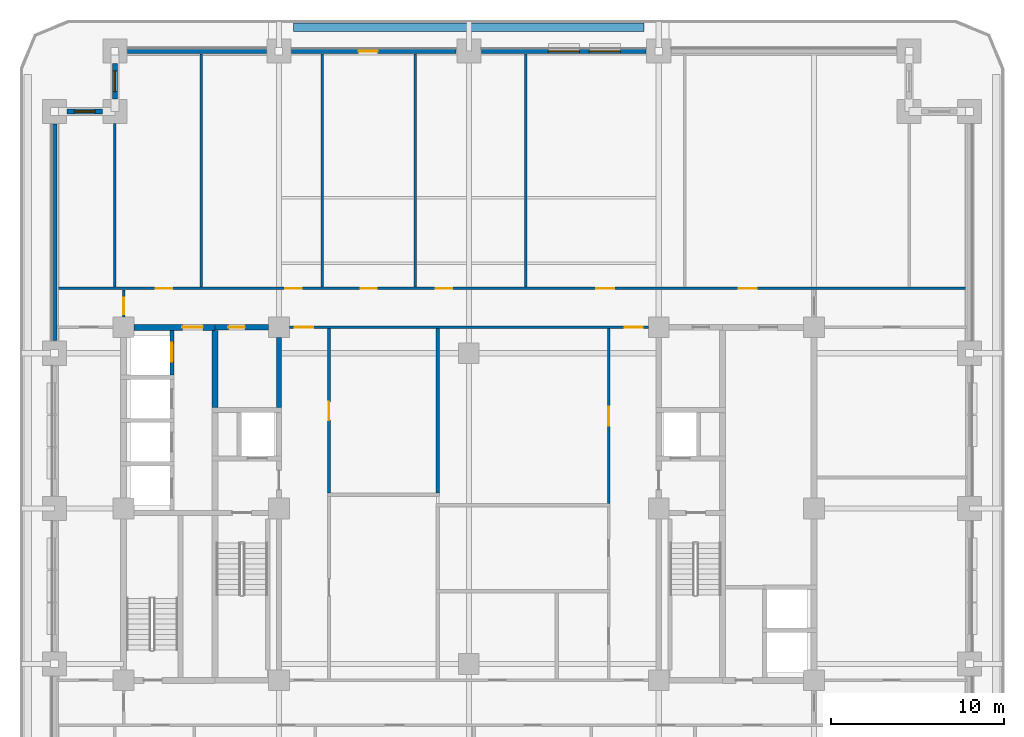
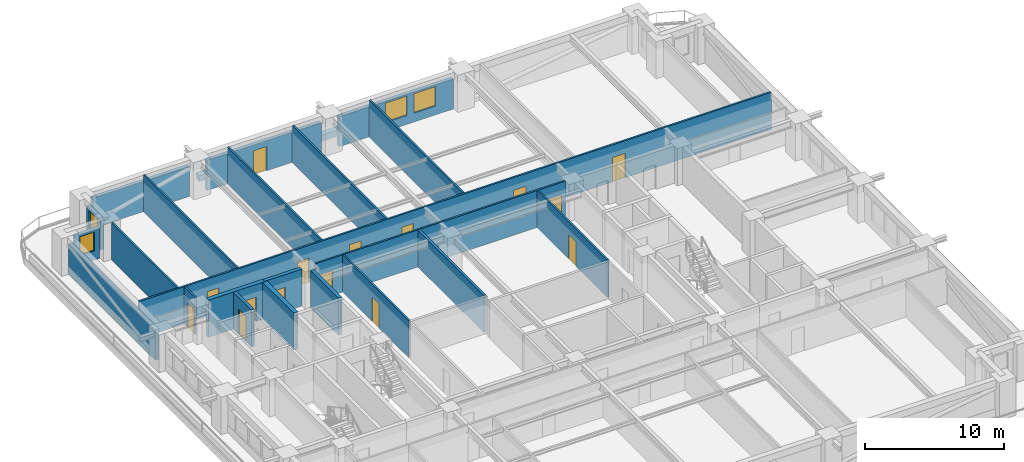
# One storey, part 5 of 14: 23 walls, 15 doors, 4 windows, 19 openings.
"""IFC4 building model written with IfcOpenShell, lengths in metres."""

from ifc_helpers import new_model, si_unit, direction, frame, frame_2d, origin, place, context, subcontext, project, spatial, rectangle, extrude, material, layer, layer_set, type_object, element, fill, save


model = new_model("IFC4")

# Units and contexts
model_context = context("Model", 3, precision=1e-05, world=origin(), true_north=direction((0.0, 1.0)))
body_context = subcontext(model_context, "Body", "Model", "MODEL_VIEW")
ifc_project = project(units=[si_unit("LENGTHUNIT", "METRE"), si_unit("AREAUNIT", "SQUARE_METRE"), si_unit("VOLUMEUNIT", "CUBIC_METRE"), si_unit("PLANEANGLEUNIT", "RADIAN"), si_unit("MASSUNIT", "GRAM", prefix="KILO")], contexts=[model_context])

# Site, building, storey
site_placement = place(None, origin())
site = spatial("IfcSite", under=ifc_project, at=site_placement, CompositionType="ELEMENT")
building_placement = place(site_placement, origin())
building = spatial("IfcBuilding", under=site, at=building_placement, Name="Zulmaris Gate Convention Tower", CompositionType="ELEMENT")
storey_placement = place(building_placement, frame((0.0, 0.0, 30.77001953125)))
storey = spatial("IfcBuildingStorey", under=building, at=storey_placement, Name="L06", CompositionType="ELEMENT", Elevation=30.77001953125)

# Wall, opening, door
ifc_material_1 = material(Name="Concrete C50/60", Category="concrete")
ifc_layer_1 = layer(ifc_material_1, 0.25, Name="Concrete C50/60")
ifc_layer_set_1 = layer_set([ifc_layer_1], Name="Concrete C50/60")
wall_type_1 = type_object("IfcWallType", Name="CORE-250", PredefinedType="SOLIDWALL", material=ifc_layer_set_1)
wall_1_placement = place(storey_placement, frame((-17.199951171875, 7.72705078125, 0.0), z_axis=(0.0, 0.0, 1.0), x_axis=(0.0, 1.0, 0.0)))
wall_1 = element("IfcWall", 1, at=wall_1_placement, inside=storey, type_object=wall_type_1, Name="WL-L06-041", PredefinedType="SOLIDWALL", context=body_context, shape_type="SweptSolid", body=[
    extrude(rectangle(XDim=2.595947265625, YDim=0.25, at=frame_2d((1.2978515625, 0.0))), origin(), (0.0, 0.0, 1.0), 3.27001953125),
])
opening_1_placement = place(wall_1_placement, frame((0.77294921875, 0.0, 0.0)))
opening_1 = element("IfcOpeningElement", 2, at=opening_1_placement, cuts=wall_1, Name="Opening D-06", PredefinedType="OPENING", context=body_context, shape_type="SweptSolid", body=[
    extrude(rectangle(XDim=1.10009765625, YDim=2.199951171875, at=frame_2d((0.550048828125, 1.10009765625))), frame((0.0, 0.135009765625, 0.0), z_axis=(0.0, -1.0, 0.0), x_axis=(1.0, 0.0, 0.0)), (0.0, 0.0, 1.0), 0.27001953125),
])
ifc_material_2 = material(Name="Brushed Stainless Steel", Category="steel")
door_type_1 = type_object("IfcDoorType", Name="LD-1100", OperationType="NOTDEFINED", PredefinedType="DOOR", material=ifc_material_2)
door_1_placement = place(opening_1_placement, origin())
door_1 = element("IfcDoor", 3, at=door_1_placement, inside=storey, type_object=door_type_1, Name="L06 Lift Landing Door LP-04 14", OperationType="SLIDING_TO_LEFT", OverallHeight=2.199951171875, OverallWidth=1.10009765625, PredefinedType="DOOR", context=body_context, shape_type="SweptSolid", body=[
    extrude(rectangle(XDim=1.10009765625, YDim=2.199951171875, at=frame_2d((0.550048828125, 1.10009765625))), frame((0.0, 0.02490234375, 0.0), z_axis=(0.0, -1.0, 0.0), x_axis=(1.0, 0.0, 0.0)), (0.0, 0.0, 1.0), 0.050048828125),
])
fill(opening_1, door_1)

ifc_layer_2 = layer(ifc_material_1, 0.300048828125, Name="Concrete C50/60")
ifc_layer_set_2 = layer_set([ifc_layer_2], Name="Concrete C50/60")
wall_type_2 = type_object("IfcWallType", Name="CORE-300", PredefinedType="SHEAR", material=ifc_layer_set_2)
wall_2_placement = place(storey_placement, frame((-14.699951171875, 10.5, 0.0), z_axis=(0.0, 0.0, 1.0), x_axis=(1.0, 0.0, 0.0)))
wall_2 = element("IfcWall", 4, at=wall_2_placement, inside=storey, type_object=wall_type_2, Name="WL-L06-017", PredefinedType="SHEAR", context=body_context, shape_type="SweptSolid", body=[
    extrude(rectangle(XDim=3.095947265625, YDim=0.300048828125, at=frame_2d((1.5478515625, 0.0))), origin(), (0.0, 0.0, 1.0), 3.27001953125),
])
opening_2_placement = place(wall_2_placement, frame((0.77490234375, 0.0, 0.0)))
opening_2 = element("IfcOpeningElement", 5, at=opening_2_placement, cuts=wall_2, Name="Opening D-11", PredefinedType="OPENING", context=body_context, shape_type="SweptSolid", body=[
    extrude(rectangle(XDim=0.949951171875, YDim=2.14990234375, at=frame_2d((0.47509765625, 1.074951171875))), frame((0.0, 0.16015625, 0.0), z_axis=(0.0, -1.0, 0.0), x_axis=(1.0, 0.0, 0.0)), (0.0, 0.0, 1.0), 0.320068359375),
])
ifc_material_3 = material(Name="Fire-Rated Timber", Category="wood")
door_type_2 = type_object("IfcDoorType", Name="DR-950-FD", OperationType="NOTDEFINED", PredefinedType="DOOR", material=ifc_material_3)
door_2_placement = place(opening_2_placement, origin())
door_2 = element("IfcDoor", 6, at=door_2_placement, inside=storey, type_object=door_type_2, Name="L06 Core Pantry Door 07", OperationType="SINGLE_SWING_RIGHT", OverallHeight=2.14990234375, OverallWidth=0.949951171875, PredefinedType="DOOR", context=body_context, shape_type="SweptSolid", body=[
    extrude(rectangle(XDim=0.949951171875, YDim=2.14990234375, at=frame_2d((0.47509765625, 1.074951171875))), frame((0.0, 0.02490234375, 0.0), z_axis=(0.0, -1.0, 0.0), x_axis=(1.0, 0.0, 0.0)), (0.0, 0.0, 1.0), 0.050048828125),
])
fill(opening_2, door_2)

# Wall
wall_3_placement = place(storey_placement, frame((-11.0, 5.85205078125, 0.0), z_axis=(0.0, 0.0, 1.0), x_axis=(0.0, 1.0, 0.0)))
element("IfcWall", 7, at=wall_3_placement, inside=storey, type_object=wall_type_2, Name="WL-L06-052", PredefinedType="SHEAR", context=body_context, shape_type="SweptSolid", body=[
    extrude(rectangle(XDim=4.0439453125, YDim=0.300048828125, at=frame_2d((2.02197265625, 0.0))), origin(), (0.0, 0.0, 1.0), 3.27001953125),
])

# Wall, opening, door
ifc_material_4 = material(Name="Concrete C55/67", Category="concrete")
ifc_layer_3 = layer(ifc_material_4, 0.35009765625, Name="Concrete C55/67")
ifc_layer_set_3 = layer_set([ifc_layer_3], Name="Concrete C55/67")
wall_type_3 = type_object("IfcWallType", Name="CORE-350", PredefinedType="SHEAR", material=ifc_layer_set_3)
wall_4_placement = place(storey_placement, frame((-19.39599609375, 10.5, 0.0), z_axis=(0.0, 0.0, 1.0), x_axis=(1.0, 0.0, 0.0)))
wall_4 = element("IfcWall", 8, at=wall_4_placement, inside=storey, type_object=wall_type_3, Name="WL-L06-016", PredefinedType="SHEAR", context=body_context, shape_type="SweptSolid", body=[
    extrude(rectangle(XDim=4.696044921875, YDim=0.35009765625, at=frame_2d((2.34814453125, 0.0))), origin(), (0.0, 0.0, 1.0), 3.27001953125),
])
opening_3_placement = place(wall_4_placement, frame((2.7958984375, 0.0, 0.0)))
opening_3 = element("IfcOpeningElement", 9, at=opening_3_placement, cuts=wall_4, Name="Opening D-13", PredefinedType="OPENING", context=body_context, shape_type="SweptSolid", body=[
    extrude(rectangle(XDim=1.199951171875, YDim=2.14990234375, at=frame_2d((0.60009765625, 1.074951171875))), frame((0.0, 0.18505859375, 0.0), z_axis=(0.0, -1.0, 0.0), x_axis=(1.0, 0.0, 0.0)), (0.0, 0.0, 1.0), 0.3701171875),
])
ifc_material_5 = material(Name="Fire-Rated Steel", Category="steel")
door_type_3 = type_object("IfcDoorType", Name="DR-1200-FD", OperationType="NOTDEFINED", PredefinedType="DOOR", material=ifc_material_5)
door_3_placement = place(opening_3_placement, origin())
door_3 = element("IfcDoor", 10, at=door_3_placement, inside=storey, type_object=door_type_3, Name="L06 Low-Rise Lift Lobby Door 10", OperationType="SINGLE_SWING_LEFT", OverallHeight=2.14990234375, OverallWidth=1.199951171875, PredefinedType="DOOR", context=body_context, shape_type="SweptSolid", body=[
    extrude(rectangle(XDim=1.199951171875, YDim=2.14990234375, at=frame_2d((0.60009765625, 1.074951171875))), frame((0.0, 0.02490234375, 0.0), z_axis=(0.0, -1.0, 0.0), x_axis=(1.0, 0.0, 0.0)), (0.0, 0.0, 1.0), 0.050048828125),
])
fill(opening_3, door_3)

# Wall
wall_5_placement = place(storey_placement, frame((-14.699951171875, 5.85205078125, 0.0), z_axis=(0.0, 0.0, 1.0), x_axis=(0.0, 1.0, 0.0)))
element("IfcWall", 11, at=wall_5_placement, inside=storey, type_object=wall_type_3, Name="WL-L06-046", PredefinedType="SHEAR", context=body_context, shape_type="SweptSolid", body=[
    extrude(rectangle(XDim=4.470947265625, YDim=0.35009765625, at=frame_2d((2.2353515625, 0.0))), origin(), (0.0, 0.0, 1.0), 3.27001953125),
])

# Wall, openings, doors
ifc_material_6 = material(Name="Gypsum Metal Stud Partition")
ifc_layer_4 = layer(ifc_material_6, 0.14990234375, Name="Gypsum Metal Stud Partition")
ifc_layer_set_4 = layer_set([ifc_layer_4], Name="Gypsum Metal Stud Partition")
wall_type_4 = type_object("IfcWallType", Name="PART-150", PredefinedType="PARTITIONING", material=ifc_layer_set_4)
wall_6_placement = place(storey_placement, frame((-10.39404296875, 10.5, 0.0), z_axis=(0.0, 0.0, 1.0), x_axis=(1.0, 0.0, 0.0)))
wall_6 = element("IfcWall", 12, at=wall_6_placement, inside=storey, type_object=wall_type_4, Name="WL-L06-030", PredefinedType="PARTITIONING", context=body_context, shape_type="SweptSolid", body=[
    extrude(rectangle(XDim=20.7880859375, YDim=0.14990234375, at=frame_2d((10.39404296875, 0.0))), origin(), (0.0, 0.0, 1.0), 3.27001953125),
])
opening_4_placement = place(wall_6_placement, frame((0.319091796875, 0.0, 0.0)))
opening_4 = element("IfcOpeningElement", 13, at=opening_4_placement, cuts=wall_6, Name="Opening D-09", PredefinedType="OPENING", context=body_context, shape_type="SweptSolid", body=[
    extrude(rectangle(XDim=1.050048828125, YDim=2.14990234375, at=frame_2d((0.52490234375, 1.074951171875))), frame((0.0, 0.0849609375, 0.0), z_axis=(0.0, -1.0, 0.0), x_axis=(1.0, 0.0, 0.0)), (0.0, 0.0, 1.0), 0.169921875),
])
opening_5_placement = place(wall_6_placement, frame((19.4189453125, 0.0, 0.0)))
opening_5 = element("IfcOpeningElement", 14, at=opening_5_placement, cuts=wall_6, Name="Opening D-09", PredefinedType="OPENING", context=body_context, shape_type="SweptSolid", body=[
    extrude(rectangle(XDim=1.050048828125, YDim=2.14990234375, at=frame_2d((0.52490234375, 1.074951171875))), frame((0.0, 0.0849609375, 0.0), z_axis=(0.0, -1.0, 0.0), x_axis=(1.0, 0.0, 0.0)), (0.0, 0.0, 1.0), 0.169921875),
])
door_type_4 = type_object("IfcDoorType", Name="DR-1050-FD", OperationType="NOTDEFINED", PredefinedType="DOOR", material=ifc_material_5)
door_4_placement = place(opening_4_placement, origin())
door_4 = element("IfcDoor", 15, at=door_4_placement, inside=storey, type_object=door_type_4, Name="L06 NW Spine Link Door 17", OperationType="SINGLE_SWING_RIGHT", OverallHeight=2.14990234375, OverallWidth=1.050048828125, PredefinedType="DOOR", context=body_context, shape_type="SweptSolid", body=[
    extrude(rectangle(XDim=1.050048828125, YDim=2.14990234375, at=frame_2d((0.52490234375, 1.074951171875))), frame((0.0, 0.02490234375, 0.0), z_axis=(0.0, -1.0, 0.0), x_axis=(1.0, 0.0, 0.0)), (0.0, 0.0, 1.0), 0.050048828125),
])
fill(opening_4, door_4)
door_5_placement = place(opening_5_placement, origin())
door_5 = element("IfcDoor", 16, at=door_5_placement, inside=storey, type_object=door_type_4, Name="L06 NE Spine Link Door 19", OperationType="SINGLE_SWING_RIGHT", OverallHeight=2.14990234375, OverallWidth=1.050048828125, PredefinedType="DOOR", context=body_context, shape_type="SweptSolid", body=[
    extrude(rectangle(XDim=1.050048828125, YDim=2.14990234375, at=frame_2d((0.52490234375, 1.074951171875))), frame((0.0, 0.02490234375, 0.0), z_axis=(0.0, -1.0, 0.0), x_axis=(1.0, 0.0, 0.0)), (0.0, 0.0, 1.0), 0.050048828125),
])
fill(opening_5, door_5)

wall_7_placement = place(storey_placement, frame((-23.8349609375, 12.75, 0.0), z_axis=(0.0, 0.0, 1.0), x_axis=(1.0, 0.0, 0.0)))
wall_7 = element("IfcWall", 17, at=wall_7_placement, inside=storey, type_object=wall_type_4, Name="WL-L06-032", PredefinedType="PARTITIONING", context=body_context, shape_type="SweptSolid", body=[
    extrude(rectangle(XDim=52.669921875, YDim=0.14990234375, at=frame_2d((26.3349609375, 0.0))), origin(), (0.0, 0.0, 1.0), 3.27001953125),
])
opening_6_placement = place(wall_7_placement, frame((5.7099609375, 0.0, 0.0)))
opening_6 = element("IfcOpeningElement", 18, at=opening_6_placement, cuts=wall_7, Name="Opening D-11", PredefinedType="OPENING", context=body_context, shape_type="SweptSolid", body=[
    extrude(rectangle(XDim=0.949951171875, YDim=2.14990234375, at=frame_2d((0.47509765625, 1.074951171875))), frame((0.0, 0.0849609375, 0.0), z_axis=(0.0, -1.0, 0.0), x_axis=(1.0, 0.0, 0.0)), (0.0, 0.0, 1.0), 0.169921875),
])
opening_7_placement = place(wall_7_placement, frame((13.2099609375, 0.0, 0.0)))
opening_7 = element("IfcOpeningElement", 19, at=opening_7_placement, cuts=wall_7, Name="Opening D-11", PredefinedType="OPENING", context=body_context, shape_type="SweptSolid", body=[
    extrude(rectangle(XDim=0.949951171875, YDim=2.14990234375, at=frame_2d((0.47509765625, 1.074951171875))), frame((0.0, 0.0849609375, 0.0), z_axis=(0.0, -1.0, 0.0), x_axis=(1.0, 0.0, 0.0)), (0.0, 0.0, 1.0), 0.169921875),
])
opening_8_placement = place(wall_7_placement, frame((17.56005859375, 0.0, 0.0)))
opening_8 = element("IfcOpeningElement", 20, at=opening_8_placement, cuts=wall_7, Name="Opening D-11", PredefinedType="OPENING", context=body_context, shape_type="SweptSolid", body=[
    extrude(rectangle(XDim=0.949951171875, YDim=2.14990234375, at=frame_2d((0.47509765625, 1.074951171875))), frame((0.0, 0.0849609375, 0.0), z_axis=(0.0, -1.0, 0.0), x_axis=(1.0, 0.0, 0.0)), (0.0, 0.0, 1.0), 0.169921875),
])
opening_9_placement = place(wall_7_placement, frame((21.909912109375, 0.0, 0.0)))
opening_9 = element("IfcOpeningElement", 21, at=opening_9_placement, cuts=wall_7, Name="Opening D-11", PredefinedType="OPENING", context=body_context, shape_type="SweptSolid", body=[
    extrude(rectangle(XDim=0.949951171875, YDim=2.14990234375, at=frame_2d((0.47509765625, 1.074951171875))), frame((0.0, 0.0849609375, 0.0), z_axis=(0.0, -1.0, 0.0), x_axis=(1.0, 0.0, 0.0)), (0.0, 0.0, 1.0), 0.169921875),
])
opening_10_placement = place(wall_7_placement, frame((31.2099609375, 0.0, 0.0)))
opening_10 = element("IfcOpeningElement", 22, at=opening_10_placement, cuts=wall_7, Name="Opening D-09", PredefinedType="OPENING", context=body_context, shape_type="SweptSolid", body=[
    extrude(rectangle(XDim=1.050048828125, YDim=2.14990234375, at=frame_2d((0.52490234375, 1.074951171875))), frame((0.0, 0.0849609375, 0.0), z_axis=(0.0, -1.0, 0.0), x_axis=(1.0, 0.0, 0.0)), (0.0, 0.0, 1.0), 0.169921875),
])
opening_11_placement = place(wall_7_placement, frame((39.4599609375, 0.0, 0.0)))
opening_11 = element("IfcOpeningElement", 23, at=opening_11_placement, cuts=wall_7, Name="Opening D-09", PredefinedType="OPENING", context=body_context, shape_type="SweptSolid", body=[
    extrude(rectangle(XDim=1.050048828125, YDim=2.14990234375, at=frame_2d((0.52490234375, 1.074951171875))), frame((0.0, 0.0849609375, 0.0), z_axis=(0.0, -1.0, 0.0), x_axis=(1.0, 0.0, 0.0)), (0.0, 0.0, 1.0), 0.169921875),
])
door_6_placement = place(opening_10_placement, origin())
door_6 = element("IfcDoor", 24, at=door_6_placement, inside=storey, type_object=door_type_4, Name="L06 Executive Boardroom Door 25", OperationType="SINGLE_SWING_RIGHT", OverallHeight=2.14990234375, OverallWidth=1.050048828125, PredefinedType="DOOR", context=body_context, shape_type="SweptSolid", body=[
    extrude(rectangle(XDim=1.050048828125, YDim=2.14990234375, at=frame_2d((0.52490234375, 1.074951171875))), frame((0.0, 0.02490234375, 0.0), z_axis=(0.0, -1.0, 0.0), x_axis=(1.0, 0.0, 0.0)), (0.0, 0.0, 1.0), 0.050048828125),
])
fill(opening_10, door_6)
door_7_placement = place(opening_11_placement, origin())
door_7 = element("IfcDoor", 25, at=door_7_placement, inside=storey, type_object=door_type_4, Name="L06 Corporate Strategy Office Door 26", OperationType="SINGLE_SWING_LEFT", OverallHeight=2.14990234375, OverallWidth=1.050048828125, PredefinedType="DOOR", context=body_context, shape_type="SweptSolid", body=[
    extrude(rectangle(XDim=1.050048828125, YDim=2.14990234375, at=frame_2d((0.52490234375, 1.074951171875))), frame((0.0, 0.02490234375, 0.0), z_axis=(0.0, -1.0, 0.0), x_axis=(1.0, 0.0, 0.0)), (0.0, 0.0, 1.0), 0.050048828125),
])
fill(opening_11, door_7)
door_8_placement = place(opening_6_placement, origin())
door_8 = element("IfcDoor", 26, at=door_8_placement, inside=storey, type_object=door_type_2, Name="L06 Executive Boardroom Door 21", OperationType="SINGLE_SWING_RIGHT", OverallHeight=2.14990234375, OverallWidth=0.949951171875, PredefinedType="DOOR", context=body_context, shape_type="SweptSolid", body=[
    extrude(rectangle(XDim=0.949951171875, YDim=2.14990234375, at=frame_2d((0.47509765625, 1.074951171875))), frame((0.0, 0.02490234375, 0.0), z_axis=(0.0, -1.0, 0.0), x_axis=(1.0, 0.0, 0.0)), (0.0, 0.0, 1.0), 0.050048828125),
])
fill(opening_6, door_8)
door_9_placement = place(opening_7_placement, origin())
door_9 = element("IfcDoor", 27, at=door_9_placement, inside=storey, type_object=door_type_2, Name="L06 Corporate Strategy Office Door 22", OperationType="SINGLE_SWING_LEFT", OverallHeight=2.14990234375, OverallWidth=0.949951171875, PredefinedType="DOOR", context=body_context, shape_type="SweptSolid", body=[
    extrude(rectangle(XDim=0.949951171875, YDim=2.14990234375, at=frame_2d((0.47509765625, 1.074951171875))), frame((0.0, 0.02490234375, 0.0), z_axis=(0.0, -1.0, 0.0), x_axis=(1.0, 0.0, 0.0)), (0.0, 0.0, 1.0), 0.050048828125),
])
fill(opening_7, door_9)
door_10_placement = place(opening_8_placement, origin())
door_10 = element("IfcDoor", 28, at=door_10_placement, inside=storey, type_object=door_type_2, Name="L06 Project Advisory Studio Door 23", OperationType="SINGLE_SWING_RIGHT", OverallHeight=2.14990234375, OverallWidth=0.949951171875, PredefinedType="DOOR", context=body_context, shape_type="SweptSolid", body=[
    extrude(rectangle(XDim=0.949951171875, YDim=2.14990234375, at=frame_2d((0.47509765625, 1.074951171875))), frame((0.0, 0.02490234375, 0.0), z_axis=(0.0, -1.0, 0.0), x_axis=(1.0, 0.0, 0.0)), (0.0, 0.0, 1.0), 0.050048828125),
])
fill(opening_8, door_10)
door_11_placement = place(opening_9_placement, origin())
door_11 = element("IfcDoor", 29, at=door_11_placement, inside=storey, type_object=door_type_2, Name="L06 Policy Research Study Door 24", OperationType="SINGLE_SWING_LEFT", OverallHeight=2.14990234375, OverallWidth=0.949951171875, PredefinedType="DOOR", context=body_context, shape_type="SweptSolid", body=[
    extrude(rectangle(XDim=0.949951171875, YDim=2.14990234375, at=frame_2d((0.47509765625, 1.074951171875))), frame((0.0, 0.02490234375, 0.0), z_axis=(0.0, -1.0, 0.0), x_axis=(1.0, 0.0, 0.0)), (0.0, 0.0, 1.0), 0.050048828125),
])
fill(opening_9, door_11)

# Wall
wall_8_placement = place(storey_placement, frame((-20.5, 12.827880859375, 0.0), z_axis=(0.0, 0.0, 1.0), x_axis=(0.0, 1.0, 0.0)))
element("IfcWall", 30, at=wall_8_placement, inside=storey, type_object=wall_type_4, Name="WL-L06-069", PredefinedType="PARTITIONING", context=body_context, shape_type="SweptSolid", body=[
    extrude(rectangle(XDim=9.466064453125, YDim=0.14990234375, at=frame_2d((4.73291015625, 0.0))), origin(), (0.0, 0.0, 1.0), 3.27001953125),
])

# Wall, opening, door
wall_9_placement = place(storey_placement, frame((-20.0, 11.10595703125, 0.0), z_axis=(0.0, 0.0, 1.0), x_axis=(0.0, 1.0, 0.0)))
wall_9 = element("IfcWall", 31, at=wall_9_placement, inside=storey, type_object=wall_type_4, Name="WL-L06-071", PredefinedType="PARTITIONING", context=body_context, shape_type="SweptSolid", body=[
    extrude(rectangle(XDim=1.566162109375, YDim=0.14990234375, at=frame_2d((0.783203125, 0.0))), origin(), (0.0, 0.0, 1.0), 3.27001953125),
])
opening_12_placement = place(wall_9_placement, frame((0.14990234375, 0.0, 0.0)))
opening_12 = element("IfcOpeningElement", 32, at=opening_12_placement, cuts=wall_9, Name="Opening D-11", PredefinedType="OPENING", context=body_context, shape_type="SweptSolid", body=[
    extrude(rectangle(XDim=0.949951171875, YDim=2.14990234375, at=frame_2d((0.47509765625, 1.074951171875))), frame((0.0, 0.0849609375, 0.0), z_axis=(0.0, -1.0, 0.0), x_axis=(1.0, 0.0, 0.0)), (0.0, 0.0, 1.0), 0.169921875),
])
door_12_placement = place(opening_12_placement, origin())
door_12 = element("IfcDoor", 33, at=door_12_placement, inside=storey, type_object=door_type_2, Name="L06 NW Spur Door 39", OperationType="SINGLE_SWING_RIGHT", OverallHeight=2.14990234375, OverallWidth=0.949951171875, PredefinedType="DOOR", context=body_context, shape_type="SweptSolid", body=[
    extrude(rectangle(XDim=0.949951171875, YDim=2.14990234375, at=frame_2d((0.47509765625, 1.074951171875))), frame((0.0, 0.02490234375, 0.0), z_axis=(0.0, -1.0, 0.0), x_axis=(1.0, 0.0, 0.0)), (0.0, 0.0, 1.0), 0.050048828125),
])
fill(opening_12, door_12)

# Walls
for number, where, z_axis, x_axis, name in (
    (34, (-15.5, 12.827880859375, 0.0), (0.0, 0.0, 1.0), (0.0, 1.0, 0.0), "WL-L06-073"),
    (35, (-8.5, 12.827880859375, 0.0), (0.0, 0.0, 1.0), (0.0, 1.0, 0.0), "WL-L06-075"),
):
    element("IfcWall", number, at=place(storey_placement, frame(where, z_axis=z_axis, x_axis=x_axis)), inside=storey, type_object=wall_type_4, Name=name, PredefinedType="PARTITIONING", context=body_context, shape_type="SweptSolid", body=[
        extrude(rectangle(XDim=13.507080078125, YDim=0.14990234375, at=frame_2d((6.75341796875, 0.0))), origin(), (0.0, 0.0, 1.0), 3.27001953125),
    ])

# Wall, opening, door
wall_10_placement = place(storey_placement, frame((-8.10009765625, 0.903076171875, 0.0), z_axis=(0.0, 0.0, 1.0), x_axis=(0.0, 1.0, 0.0)))
wall_10 = element("IfcWall", 36, at=wall_10_placement, inside=storey, type_object=wall_type_4, Name="WL-L06-077", PredefinedType="PARTITIONING", context=body_context, shape_type="SweptSolid", body=[
    extrude(rectangle(XDim=9.51904296875, YDim=0.14990234375, at=frame_2d((4.759521484375, 0.0))), origin(), (0.0, 0.0, 1.0), 3.27001953125),
])
opening_13_placement = place(wall_10_placement, frame((4.221923828125, 0.0, 0.0)))
opening_13 = element("IfcOpeningElement", 37, at=opening_13_placement, cuts=wall_10, Name="Opening D-09", PredefinedType="OPENING", context=body_context, shape_type="SweptSolid", body=[
    extrude(rectangle(XDim=1.050048828125, YDim=2.14990234375, at=frame_2d((0.52490234375, 1.074951171875))), frame((0.0, 0.0849609375, 0.0), z_axis=(0.0, -1.0, 0.0), x_axis=(1.0, 0.0, 0.0)), (0.0, 0.0, 1.0), 0.169921875),
])
door_13_placement = place(opening_13_placement, origin())
door_13 = element("IfcDoor", 38, at=door_13_placement, inside=storey, type_object=door_type_4, Name="L06 Boardroom Door 33", OperationType="SINGLE_SWING_RIGHT", OverallHeight=2.14990234375, OverallWidth=1.050048828125, PredefinedType="DOOR", context=body_context, shape_type="SweptSolid", body=[
    extrude(rectangle(XDim=1.050048828125, YDim=2.14990234375, at=frame_2d((0.52490234375, 1.074951171875))), frame((0.0, 0.02490234375, 0.0), z_axis=(0.0, -1.0, 0.0), x_axis=(1.0, 0.0, 0.0)), (0.0, 0.0, 1.0), 0.050048828125),
])
fill(opening_13, door_13)

# Walls
for number, where, z_axis, x_axis, name in (
    (39, (-3.10009765625, 12.827880859375, 0.0), (0.0, 0.0, 1.0), (0.0, 1.0, 0.0), "WL-L06-078"),
    (40, (3.300048828125, 12.827880859375, 0.0), (0.0, 0.0, 1.0), (0.0, 1.0, 0.0), "WL-L06-084"),
):
    element("IfcWall", number, at=place(storey_placement, frame(where, z_axis=z_axis, x_axis=x_axis)), inside=storey, type_object=wall_type_4, Name=name, PredefinedType="PARTITIONING", context=body_context, shape_type="SweptSolid", body=[
        extrude(rectangle(XDim=13.507080078125, YDim=0.14990234375, at=frame_2d((6.75341796875, 0.0))), origin(), (0.0, 0.0, 1.0), 3.27001953125),
    ])

# Wall, opening, door
wall_11_placement = place(storey_placement, frame((8.10009765625, 0.302978515625, 0.0), z_axis=(0.0, 0.0, 1.0), x_axis=(0.0, 1.0, 0.0)))
wall_11 = element("IfcWall", 41, at=wall_11_placement, inside=storey, type_object=wall_type_4, Name="WL-L06-089", PredefinedType="PARTITIONING", context=body_context, shape_type="SweptSolid", body=[
    extrude(rectangle(XDim=10.119140625, YDim=0.14990234375, at=frame_2d((5.0595703125, 0.0))), origin(), (0.0, 0.0, 1.0), 3.27001953125),
])
opening_14_placement = place(wall_11_placement, frame((4.4970703125, 0.0, 0.0)))
opening_14 = element("IfcOpeningElement", 42, at=opening_14_placement, cuts=wall_11, Name="Opening D-08", PredefinedType="OPENING", context=body_context, shape_type="SweptSolid", body=[
    extrude(rectangle(XDim=1.10009765625, YDim=2.14990234375, at=frame_2d((0.550048828125, 1.074951171875))), frame((0.0, 0.0849609375, 0.0), z_axis=(0.0, -1.0, 0.0), x_axis=(1.0, 0.0, 0.0)), (0.0, 0.0, 1.0), 0.169921875),
])
door_type_5 = type_object("IfcDoorType", Name="DR-1100-FD", OperationType="NOTDEFINED", PredefinedType="DOOR", material=ifc_material_5)
door_14_placement = place(opening_14_placement, origin())
door_14 = element("IfcDoor", 43, at=door_14_placement, inside=storey, type_object=door_type_5, Name="L06 Seminar Forum Door 35", OperationType="SINGLE_SWING_RIGHT", OverallHeight=2.14990234375, OverallWidth=1.10009765625, PredefinedType="DOOR", context=body_context, shape_type="SweptSolid", body=[
    extrude(rectangle(XDim=1.10009765625, YDim=2.14990234375, at=frame_2d((0.550048828125, 1.074951171875))), frame((0.0, 0.02490234375, 0.0), z_axis=(0.0, -1.0, 0.0), x_axis=(1.0, 0.0, 0.0)), (0.0, 0.0, 1.0), 0.050048828125),
])
fill(opening_14, door_14)

# Walls
ifc_material_7 = material(Name="Autoclaved Aerated Concrete Block and Plasterboard", Category="concrete")
ifc_layer_5 = layer(ifc_material_7, 0.199951171875, Name="Autoclaved Aerated Concrete Block and Plasterboard")
ifc_layer_set_5 = layer_set([ifc_layer_5], Name="Autoclaved Aerated Concrete Block and Plasterboard")
wall_type_5 = type_object("IfcWallType", Name="PART-200", PredefinedType="PARTITIONING", material=ifc_layer_set_5)
wall_12_placement = place(storey_placement, frame((-1.800048828125, 0.903076171875, 0.0), z_axis=(0.0, 0.0, 1.0), x_axis=(0.0, 1.0, 0.0)))
element("IfcWall", 44, at=wall_12_placement, inside=storey, type_object=wall_type_5, Name="WL-L06-082", PredefinedType="PARTITIONING", context=body_context, shape_type="SweptSolid", body=[
    extrude(rectangle(XDim=9.51904296875, YDim=0.199951171875, at=frame_2d((4.759521484375, 0.0))), origin(), (0.0, 0.0, 1.0), 3.27001953125),
])
ifc_material_8 = material(Name="Botanical Green Glazed Precast Concrete C40/50", Category="concrete")
ifc_layer_6 = layer(ifc_material_8, 0.419921875, Name="Botanical Green Glazed Precast Concrete C40/50")
ifc_layer_set_6 = layer_set([ifc_layer_6], Name="Botanical Green Glazed Precast Concrete C40/50")
wall_type_6 = type_object("IfcWallType", Name="PLANTER-CURB-200", PredefinedType="PARAPET", material=ifc_layer_set_6)
wall_13_placement = place(storey_placement, frame((-10.14990234375, 27.8798828125, -0.0400390625), z_axis=(0.0, 0.0, 1.0), x_axis=(1.0, 0.0, 0.0)))
element("IfcWall", 45, at=wall_13_placement, inside=storey, type_object=wall_type_6, Name="L06 Full-Length Balcony Tree Planter Trough", PredefinedType="PARAPET", context=body_context, shape_type="SweptSolid", body=[
    extrude(rectangle(XDim=20.2998046875, YDim=0.47998046875, at=frame_2d((10.14990234375, 0.0))), origin(), (0.0, 0.0, 1.0), 0.52001953125),
])

# Wall, opening, window
ifc_material_9 = material(Name="Precast concrete C40/50", Category="concrete")
ifc_layer_7 = layer(ifc_material_9, 0.300048828125, Name="Precast concrete C40/50")
ifc_layer_set_7 = layer_set([ifc_layer_7], Name="Precast concrete C40/50")
wall_type_7 = type_object("IfcWallType", Name="PRECAST-PIER-300", PredefinedType="STANDARD", material=ifc_layer_set_7)
wall_14_placement = place(storey_placement, frame((-20.5, 25.77001953125, 0.0), z_axis=(0.0, 0.0, 1.0), x_axis=(0.0, -1.0, 0.0)))
wall_14 = element("IfcWall", 46, at=wall_14_placement, inside=storey, type_object=wall_type_7, Name="EW-L06-NOTCH-NW1_0", PredefinedType="STANDARD", context=body_context, shape_type="SweptSolid", body=[
    extrude(rectangle(XDim=2.0400390625, YDim=0.300048828125, at=frame_2d((1.02001953125, 0.0))), origin(), (0.0, 0.0, 1.0), 2.662109375),
])
opening_15_placement = place(wall_14_placement, frame((0.419921875, 0.0, 0.820068359375)))
opening_15 = element("IfcOpeningElement", 47, at=opening_15_placement, cuts=wall_14, Name="Opening W-04", PredefinedType="OPENING", context=body_context, shape_type="SweptSolid", body=[
    extrude(rectangle(XDim=1.199951171875, YDim=1.64990234375, at=frame_2d((0.60009765625, 0.824951171875))), frame((0.0, 0.16015625, 0.0), z_axis=(0.0, -1.0, 0.0), x_axis=(1.0, 0.0, 0.0)), (0.0, 0.0, 1.0), 0.320068359375),
])
ifc_material_10 = material(Name="Low-E Laminated Double Glazing in Aluminium Frame", Category="aluminium")
window_type_1 = type_object("IfcWindowType", Name="WIN-1200x2100", PartitioningType="SINGLE_PANEL", PredefinedType="WINDOW", material=ifc_material_10)
window_1_placement = place(opening_15_placement, origin())
window_1 = element("IfcWindow", 48, at=window_1_placement, inside=storey, type_object=window_type_1, Name="WN-EW-L06-NOTCH-NW1_0", OverallHeight=1.64990234375, OverallWidth=1.199951171875, PartitioningType="SINGLE_PANEL", PredefinedType="WINDOW", context=body_context, shape_type="SweptSolid", body=[
    extrude(rectangle(XDim=1.199951171875, YDim=1.64990234375, at=frame_2d((0.60009765625, 0.824951171875))), frame((0.0, 0.030029296875, 0.0), z_axis=(0.0, -1.0, 0.0), x_axis=(1.0, 0.0, 0.0)), (0.0, 0.0, 1.0), 0.06005859375),
])
fill(opening_15, window_1)

wall_15_placement = place(storey_placement, frame((-21.22998046875, 23.0, 0.0), z_axis=(0.0, 0.0, 1.0), x_axis=(-1.0, 0.0, 0.0)))
wall_15 = element("IfcWall", 49, at=wall_15_placement, inside=storey, type_object=wall_type_7, Name="EW-L06-NOTCH-NW2_0", PredefinedType="STANDARD", context=body_context, shape_type="SweptSolid", body=[
    extrude(rectangle(XDim=2.0400390625, YDim=0.300048828125, at=frame_2d((1.02001953125, 0.0))), origin(), (0.0, 0.0, 1.0), 2.662109375),
])
opening_16_placement = place(wall_15_placement, frame((0.419921875, 0.0, 0.820068359375)))
opening_16 = element("IfcOpeningElement", 50, at=opening_16_placement, cuts=wall_15, Name="Opening W-04", PredefinedType="OPENING", context=body_context, shape_type="SweptSolid", body=[
    extrude(rectangle(XDim=1.199951171875, YDim=1.64990234375, at=frame_2d((0.60009765625, 0.824951171875))), frame((0.0, 0.16015625, 0.0), z_axis=(0.0, -1.0, 0.0), x_axis=(1.0, 0.0, 0.0)), (0.0, 0.0, 1.0), 0.320068359375),
])
window_2_placement = place(opening_16_placement, origin())
window_2 = element("IfcWindow", 51, at=window_2_placement, inside=storey, type_object=window_type_1, Name="WN-EW-L06-NOTCH-NW2_0", OverallHeight=1.64990234375, OverallWidth=1.199951171875, PartitioningType="SINGLE_PANEL", PredefinedType="WINDOW", context=body_context, shape_type="SweptSolid", body=[
    extrude(rectangle(XDim=1.199951171875, YDim=1.64990234375, at=frame_2d((0.60009765625, 0.824951171875))), frame((0.0, 0.030029296875, 0.0), z_axis=(0.0, -1.0, 0.0), x_axis=(1.0, 0.0, 0.0)), (0.0, 0.0, 1.0), 0.06005859375),
])
fill(opening_16, window_2)

# Wall
wall_16_placement = place(storey_placement, frame((-11.72998046875, 26.5, 0.0), z_axis=(0.0, 0.0, 1.0), x_axis=(-1.0, 0.0, 0.0)))
element("IfcWall", 52, at=wall_16_placement, inside=storey, type_object=wall_type_7, Name="EW-L06-N-0_0", PredefinedType="STANDARD", context=body_context, shape_type="SweptSolid", body=[
    extrude(rectangle(XDim=8.0400390625, YDim=0.300048828125, at=frame_2d((4.02001953125, 0.0))), origin(), (0.0, 0.0, 1.0), 2.662109375),
])

# Wall, opening, door
wall_17_placement = place(storey_placement, frame((-0.72998046875, 26.5, 0.0), z_axis=(0.0, 0.0, 1.0), x_axis=(-1.0, 0.0, 0.0)))
wall_17 = element("IfcWall", 53, at=wall_17_placement, inside=storey, type_object=wall_type_7, Name="EW-L06-N-1_0", PredefinedType="STANDARD", context=body_context, shape_type="SweptSolid", body=[
    extrude(rectangle(XDim=9.5400390625, YDim=0.300048828125, at=frame_2d((4.77001953125, 0.0))), origin(), (0.0, 0.0, 1.0), 2.662109375),
])
opening_17_placement = place(wall_17_placement, frame((4.554931640625, 0.0, 0.0)))
opening_17 = element("IfcOpeningElement", 54, at=opening_17_placement, cuts=wall_17, Name="Opening D-04", PredefinedType="OPENING", context=body_context, shape_type="SweptSolid", body=[
    extrude(rectangle(XDim=1.10009765625, YDim=2.14990234375, at=frame_2d((0.550048828125, 1.074951171875))), frame((0.0, 0.16015625, 0.0), z_axis=(0.0, -1.0, 0.0), x_axis=(1.0, 0.0, 0.0)), (0.0, 0.0, 1.0), 0.320068359375),
])
ifc_material_11 = material(Name="Anodised Aluminium and Laminated Glass", Category="aluminium")
door_type_6 = type_object("IfcDoorType", Name="ED-1100", OperationType="SINGLE_SWING_RIGHT", PredefinedType="DOOR", material=ifc_material_11)
door_15_placement = place(opening_17_placement, origin())
door_15 = element("IfcDoor", 55, at=door_15_placement, inside=storey, type_object=door_type_6, Name="L06 N Planted Terrace Door", OperationType="SINGLE_SWING_LEFT", OverallHeight=2.14990234375, OverallWidth=1.10009765625, PredefinedType="DOOR", context=body_context, shape_type="SweptSolid", body=[
    extrude(rectangle(XDim=1.10009765625, YDim=2.14990234375, at=frame_2d((0.550048828125, 1.074951171875))), frame((0.0, 0.02490234375, 0.0), z_axis=(0.0, -1.0, 0.0), x_axis=(1.0, 0.0, 0.0)), (0.0, 0.0, 1.0), 0.050048828125),
])
fill(opening_17, door_15)

# Wall, openings, windows
wall_18_placement = place(storey_placement, frame((10.27001953125, 26.5, 0.0), z_axis=(0.0, 0.0, 1.0), x_axis=(-1.0, 0.0, 0.0)))
wall_18 = element("IfcWall", 56, at=wall_18_placement, inside=storey, type_object=wall_type_7, Name="EW-L06-N-2_0", PredefinedType="STANDARD", context=body_context, shape_type="SweptSolid", body=[
    extrude(rectangle(XDim=9.5400390625, YDim=0.300048828125, at=frame_2d((4.77001953125, 0.0))), origin(), (0.0, 0.0, 1.0), 2.662109375),
])
opening_18_placement = place(wall_18_placement, frame((1.485107421875, 0.0, 0.780029296875)))
opening_18 = element("IfcOpeningElement", 57, at=opening_18_placement, cuts=wall_18, Name="Opening W-02", PredefinedType="OPENING", context=body_context, shape_type="SweptSolid", body=[
    extrude(rectangle(XDim=1.800048828125, YDim=1.719970703125, at=frame_2d((0.89990234375, 0.85986328125))), frame((0.0, 0.16015625, 0.0), z_axis=(0.0, -1.0, 0.0), x_axis=(1.0, 0.0, 0.0)), (0.0, 0.0, 1.0), 0.320068359375),
])
opening_19_placement = place(wall_18_placement, frame((3.8701171875, 0.0, 0.780029296875)))
opening_19 = element("IfcOpeningElement", 58, at=opening_19_placement, cuts=wall_18, Name="Opening W-02", PredefinedType="OPENING", context=body_context, shape_type="SweptSolid", body=[
    extrude(rectangle(XDim=1.800048828125, YDim=1.719970703125, at=frame_2d((0.89990234375, 0.85986328125))), frame((0.0, 0.16015625, 0.0), z_axis=(0.0, -1.0, 0.0), x_axis=(1.0, 0.0, 0.0)), (0.0, 0.0, 1.0), 0.320068359375),
])
window_type_2 = type_object("IfcWindowType", Name="WIN-1800x2200", PartitioningType="SINGLE_PANEL", PredefinedType="WINDOW", material=ifc_material_10)
window_3_placement = place(opening_18_placement, origin())
window_3 = element("IfcWindow", 59, at=window_3_placement, inside=storey, type_object=window_type_2, Name="WN-EW-L06-N-2_0-1", OverallHeight=1.719970703125, OverallWidth=1.800048828125, PartitioningType="SINGLE_PANEL", PredefinedType="WINDOW", context=body_context, shape_type="SweptSolid", body=[
    extrude(rectangle(XDim=1.800048828125, YDim=1.719970703125, at=frame_2d((0.89990234375, 0.85986328125))), frame((0.0, 0.030029296875, 0.0), z_axis=(0.0, -1.0, 0.0), x_axis=(1.0, 0.0, 0.0)), (0.0, 0.0, 1.0), 0.06005859375),
])
fill(opening_18, window_3)
window_4_placement = place(opening_19_placement, origin())
window_4 = element("IfcWindow", 60, at=window_4_placement, inside=storey, type_object=window_type_2, Name="WN-EW-L06-N-2_0-2", OverallHeight=1.719970703125, OverallWidth=1.800048828125, PartitioningType="SINGLE_PANEL", PredefinedType="WINDOW", context=body_context, shape_type="SweptSolid", body=[
    extrude(rectangle(XDim=1.800048828125, YDim=1.719970703125, at=frame_2d((0.89990234375, 0.85986328125))), frame((0.0, 0.030029296875, 0.0), z_axis=(0.0, -1.0, 0.0), x_axis=(1.0, 0.0, 0.0)), (0.0, 0.0, 1.0), 0.06005859375),
])
fill(opening_19, window_4)

# Wall
wall_19_placement = place(storey_placement, frame((-24.0, 22.27001953125, 0.0), z_axis=(0.0, 0.0, 1.0), x_axis=(0.0, -1.0, 0.0)))
element("IfcWall", 61, at=wall_19_placement, inside=storey, type_object=wall_type_7, Name="EW-L06-W-3_0", PredefinedType="STANDARD", context=body_context, shape_type="SweptSolid", body=[
    extrude(rectangle(XDim=12.5400390625, YDim=0.300048828125, at=frame_2d((6.27001953125, 0.0))), origin(), (0.0, 0.0, 1.0), 2.662109375),
])

save(model, "model.ifc")
